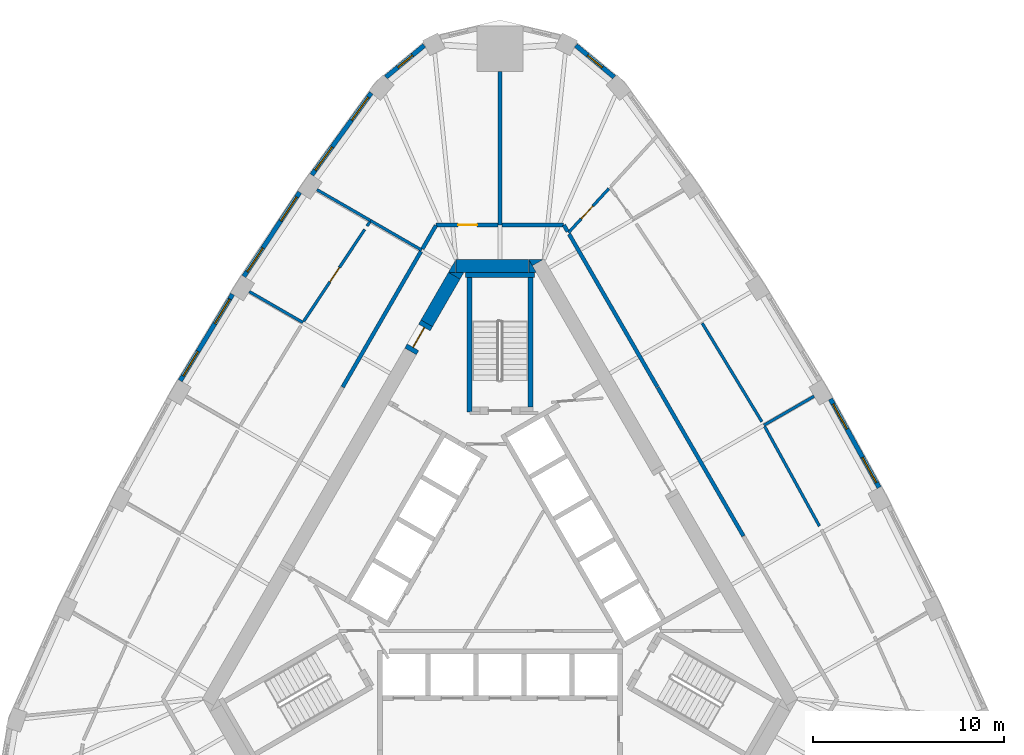
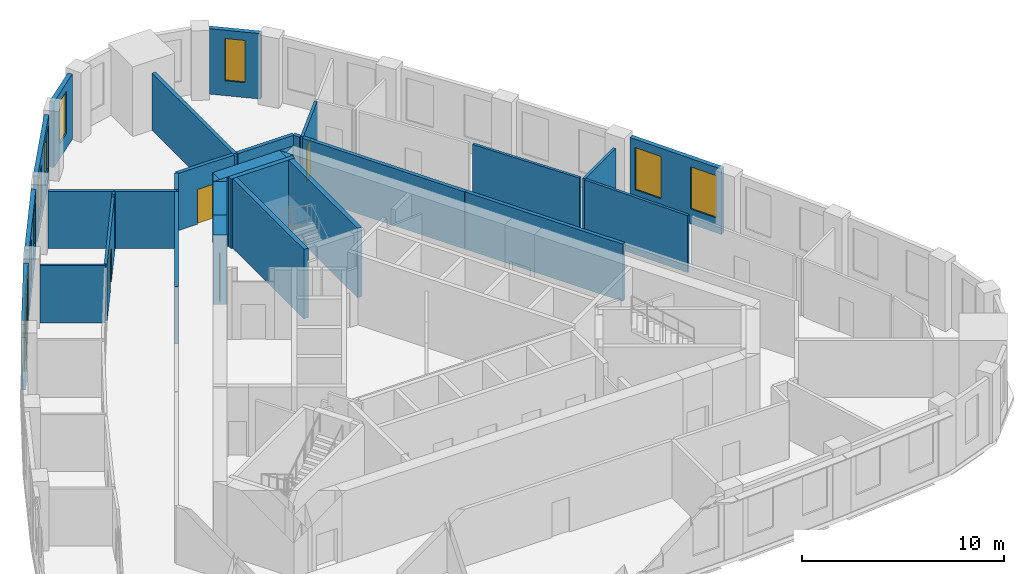
# One storey, part 8 of 11: 33 walls, 10 windows, 4 doors, 14 openings.
"""IFC4 building model written with IfcOpenShell, lengths in metres."""

from ifc_helpers import new_model, si_unit, direction, frame, frame_2d, origin, place, context, subcontext, project, spatial, polyline, rectangle, outline, extrude, material, layer, layer_set, type_object, element, fill, save


model = new_model("IFC4")

# Units and contexts
model_context = context("Model", 3, precision=1e-05, world=origin(), true_north=direction((0.0, 1.0)))
body_context = subcontext(model_context, "Body", "Model", "MODEL_VIEW")
ifc_project = project(units=[si_unit("LENGTHUNIT", "METRE"), si_unit("AREAUNIT", "SQUARE_METRE"), si_unit("VOLUMEUNIT", "CUBIC_METRE"), si_unit("PLANEANGLEUNIT", "RADIAN"), si_unit("MASSUNIT", "GRAM", prefix="KILO")], contexts=[model_context])

# Site, building, storey
site_placement = place(None, origin())
site = spatial("IfcSite", under=ifc_project, at=site_placement, CompositionType="ELEMENT")
building_placement = place(site_placement, origin())
building = spatial("IfcBuilding", under=site, at=building_placement, Name="Mestral Congress Tower", CompositionType="ELEMENT")
storey_placement = place(building_placement, frame((0.0, 0.0, 205.800048828125)))
storey = spatial("IfcBuildingStorey", under=building, at=storey_placement, Name="L48", CompositionType="ELEMENT", Elevation=205.800048828125)

# Walls
ifc_material_1 = material(Name="Concrete C60/75", Category="concrete")
ifc_layer_1 = layer(ifc_material_1, 0.699951171875)
ifc_layer_set_1 = layer_set([ifc_layer_1], Name="Concrete C60/75")
wall_type_1 = type_object("IfcWallType", Name="Core wall RC 700", PredefinedType="SOLIDWALL", material=ifc_layer_set_1)
placement = place(storey_placement, origin())
element("IfcWall", 1, at=placement, inside=storey, type_object=wall_type_1, Name="L48 core wall", PredefinedType="SOLIDWALL", context=body_context, shape_type="SweptSolid", body=[
    extrude(outline(polyline([(1.501220703125, 16.699951171875), (2.277099609375, 16.699951171875), (1.695068359375, 16.364013671875), (1.501220703125, 16.699951171875)])), origin(), (0.0, 0.0, 1.0), 4.199951171875),
])
wall_2_placement = place(storey_placement, frame((-2.323486328125, 16.35009765625, 0.0), z_axis=(0.0, 0.0, 1.0), x_axis=(1.0, 0.0, 0.0)))
element("IfcWall", 2, at=wall_2_placement, inside=storey, type_object=wall_type_1, Name="L48 core wall", PredefinedType="SOLIDWALL", context=body_context, shape_type="SweptSolid", body=[
    extrude(rectangle(XDim=3.828857421875, YDim=0.699951171875, at=frame_2d((1.91455078125, 0.0))), origin(), (0.0, 0.0, 1.0), 4.199951171875),
])
element("IfcWall", 3, at=placement, inside=storey, type_object=wall_type_1, Name="L48 core wall", PredefinedType="SOLIDWALL", context=body_context, shape_type="SweptSolid", body=[
    extrude(outline(polyline([(1.9052734375, 16.0), (1.50732421875, 16.0), (1.50732421875, 16.689208984375), (1.9052734375, 16.0)])), origin(), (0.0, 0.0, 1.0), 4.199951171875),
])
element("IfcWall", 4, at=placement, inside=storey, type_object=wall_type_1, Name="L48 core wall", PredefinedType="SOLIDWALL", context=body_context, shape_type="SweptSolid", body=[
    extrude(outline(polyline([(-2.71337890625, 16.0), (-2.325439453125, 16.672119140625), (-2.325439453125, 16.0), (-2.71337890625, 16.0)])), origin(), (0.0, 0.0, 1.0), 4.199951171875),
])
wall_5_placement = place(storey_placement, frame((-2.4033203125, 15.837158203125, 0.0), z_axis=(0.0, 0.0, 1.0), x_axis=(-0.500008214683, -0.866020660983, 0.0)))
element("IfcWall", 5, at=wall_5_placement, inside=storey, type_object=wall_type_1, Name="L48 core wall", PredefinedType="SOLIDWALL", context=body_context, shape_type="SweptSolid", body=[
    extrude(rectangle(XDim=2.88427734375, YDim=0.699951171875, at=frame_2d((1.442138671875, 0.0))), origin(), (0.0, 0.0, 1.0), 4.199951171875),
])
element("IfcWall", 6, at=placement, inside=storey, type_object=wall_type_1, Name="L48 core wall", PredefinedType="SOLIDWALL", context=body_context, shape_type="SweptSolid", body=[
    extrude(outline(polyline([(-1.9052734375, 16.0), (-2.099365234375, 15.6640625), (-2.681396484375, 16.0), (-1.9052734375, 16.0)])), origin(), (0.0, 0.0, 1.0), 4.199951171875),
])

# Wall, opening, door
wall_7_placement = place(storey_placement, frame((-4.695556640625, 11.866943359375, 0.0), z_axis=(0.0, 0.0, 1.0), x_axis=(0.499892348375, 0.866087547558, 0.0)))
wall_7 = element("IfcWall", 7, at=wall_7_placement, inside=storey, type_object=wall_type_1, Name="L48 door wall", PredefinedType="SOLIDWALL", context=body_context, shape_type="SweptSolid", body=[
    extrude(rectangle(XDim=1.699951171875, YDim=0.699951171875, at=frame_2d((0.85009765625, 0.0))), origin(), (0.0, 0.0, 1.0), 4.199951171875),
])
opening_1_placement = place(wall_7_placement, frame((0.25, 0.0, 0.0)))
opening_1 = element("IfcOpeningElement", 8, at=opening_1_placement, cuts=wall_7, Name="Opening XD2", PredefinedType="OPENING", context=body_context, shape_type="SweptSolid", body=[
    extrude(rectangle(XDim=1.199951171875, YDim=2.10009765625, at=frame_2d((0.60009765625, 1.050048828125))), frame((0.0, 0.35986328125, 0.0), z_axis=(0.0, -1.0, 0.0), x_axis=(1.0, 0.0, 0.0)), (0.0, 0.0, 1.0), 0.719970703125),
])
ifc_material_2 = material(Name="Fire-rated steel door set", Category="steel")
door_type_1 = type_object("IfcDoorType", Name="Core door XD 1200x2100", OperationType="SINGLE_SWING_LEFT", PredefinedType="DOOR", material=ifc_material_2)
door_1_placement = place(opening_1_placement, origin())
door_1 = element("IfcDoor", 9, at=door_1_placement, inside=storey, type_object=door_type_1, Name="Door XD2", OperationType="SINGLE_SWING_LEFT", OverallHeight=2.10009765625, OverallWidth=1.199951171875, PredefinedType="DOOR", context=body_context, shape_type="SweptSolid", body=[
    extrude(rectangle(XDim=1.199951171875, YDim=2.10009765625, at=frame_2d((0.60009765625, 1.050048828125))), frame((0.0, 0.02490234375, 0.0), z_axis=(0.0, -1.0, 0.0), x_axis=(1.0, 0.0, 0.0)), (0.0, 0.0, 1.0), 0.050048828125),
])
fill(opening_1, door_1)

# Wall, openings, windows
ifc_material_3 = material(Name="Precast concrete C40/50 with limestone facing", Category="masonry")
ifc_layer_2 = layer(ifc_material_3, 0.239990234375)
ifc_layer_set_2 = layer_set([ifc_layer_2], Name="Precast concrete C40/50 with limestone facing")
wall_type_2 = type_object("IfcWallType", Name="Facade stone wall 240", PredefinedType="SOLIDWALL", material=ifc_layer_set_2)
wall_8_placement = place(storey_placement, frame((19.8916015625, 4.725341796875, 0.0), z_axis=(0.0, 0.0, 1.0), x_axis=(-0.481925825015, 0.876212017256, 0.0)))
wall_8 = element("IfcWall", 10, at=wall_8_placement, inside=storey, type_object=wall_type_2, Name="Facade wall F1-02", PredefinedType="SOLIDWALL", context=body_context, shape_type="SweptSolid", body=[
    extrude(rectangle(XDim=5.298583984375, YDim=0.239990234375, at=frame_2d((2.6494140625, 0.0))), origin(), (0.0, 0.0, 1.0), 3.949951171875),
])
opening_2_placement = place(wall_8_placement, frame((0.294677734375, 0.0, 0.89990234375)))
opening_2 = element("IfcOpeningElement", 11, at=opening_2_placement, cuts=wall_8, Name="Opening W4", PredefinedType="OPENING", context=body_context, shape_type="SweptSolid", body=[
    extrude(rectangle(XDim=1.5, YDim=2.550048828125, at=frame_2d((0.75, 1.27490234375))), frame((0.0, 0.1298828125, 0.0), z_axis=(0.0, -1.0, 0.0), x_axis=(1.0, 0.0, 0.0)), (0.0, 0.0, 1.0), 0.260009765625),
])
opening_3_placement = place(wall_8_placement, frame((3.503662109375, 0.0, 0.89990234375)))
opening_3 = element("IfcOpeningElement", 12, at=opening_3_placement, cuts=wall_8, Name="Opening W4", PredefinedType="OPENING", context=body_context, shape_type="SweptSolid", body=[
    extrude(rectangle(XDim=1.5, YDim=2.550048828125, at=frame_2d((0.75, 1.27490234375))), frame((0.0, 0.1298828125, 0.0), z_axis=(0.0, -1.0, 0.0), x_axis=(1.0, 0.0, 0.0)), (0.0, 0.0, 1.0), 0.260009765625),
])
ifc_material_4 = material(Name="Clear low-emissivity double glazing", Category="glass")
window_type_1 = type_object("IfcWindowType", Name="Facade punched window 1500 x 2550 sill 900", PartitioningType="SINGLE_PANEL", PredefinedType="WINDOW", material=ifc_material_4)
window_1_placement = place(opening_2_placement, origin())
window_1 = element("IfcWindow", 13, at=window_1_placement, inside=storey, type_object=window_type_1, Name="Window F1-02a", OverallHeight=2.550048828125, OverallWidth=1.5, PartitioningType="SINGLE_PANEL", PredefinedType="WINDOW", context=body_context, shape_type="SweptSolid", body=[
    extrude(rectangle(XDim=1.5, YDim=2.550048828125, at=frame_2d((0.75, 1.27490234375))), frame((0.0, 0.0400390625, 0.0), z_axis=(0.0, -1.0, 0.0), x_axis=(1.0, 0.0, 0.0)), (0.0, 0.0, 1.0), 0.06005859375),
])
fill(opening_2, window_1)
window_2_placement = place(opening_3_placement, origin())
window_2 = element("IfcWindow", 14, at=window_2_placement, inside=storey, type_object=window_type_1, Name="Window F1-02b", OverallHeight=2.550048828125, OverallWidth=1.5, PartitioningType="SINGLE_PANEL", PredefinedType="WINDOW", context=body_context, shape_type="SweptSolid", body=[
    extrude(rectangle(XDim=1.5, YDim=2.550048828125, at=frame_2d((0.75, 1.27490234375))), frame((0.0, 0.0400390625, 0.0), z_axis=(0.0, -1.0, 0.0), x_axis=(1.0, 0.0, 0.0)), (0.0, 0.0, 1.0), 0.06005859375),
])
fill(opening_3, window_2)

# Wall, opening, window
wall_9_placement = place(storey_placement, frame((5.986572265625, 26.259033203125, 0.0), z_axis=(0.0, 0.0, 1.0), x_axis=(-0.769990037733, 0.638055908045, 0.0)))
wall_9 = element("IfcWall", 15, at=wall_9_placement, inside=storey, type_object=wall_type_2, Name="Facade wall K1-0", PredefinedType="SOLIDWALL", context=body_context, shape_type="SweptSolid", body=[
    extrude(rectangle(XDim=2.609130859375, YDim=0.239990234375, at=frame_2d((1.3046875, 0.0))), origin(), (0.0, 0.0, 1.0), 3.949951171875),
])
opening_4_placement = place(wall_9_placement, frame((0.8046875, 0.0, 0.89990234375)))
opening_4 = element("IfcOpeningElement", 16, at=opening_4_placement, cuts=wall_9, Name="Opening W5", PredefinedType="OPENING", context=body_context, shape_type="SweptSolid", body=[
    extrude(rectangle(XDim=1.0, YDim=2.550048828125, at=frame_2d((0.5, 1.27490234375))), frame((0.0, 0.1298828125, 0.0), z_axis=(0.0, -1.0, 0.0), x_axis=(1.0, 0.0, 0.0)), (0.0, 0.0, 1.0), 0.260009765625),
])
window_type_2 = type_object("IfcWindowType", Name="Facade punched window 1000 x 2550 sill 900", PartitioningType="SINGLE_PANEL", PredefinedType="WINDOW", material=ifc_material_4)
window_3_placement = place(opening_4_placement, origin())
window_3 = element("IfcWindow", 17, at=window_3_placement, inside=storey, type_object=window_type_2, Name="Window K1-0", OverallHeight=2.550048828125, OverallWidth=1.0, PartitioningType="SINGLE_PANEL", PredefinedType="WINDOW", context=body_context, shape_type="SweptSolid", body=[
    extrude(rectangle(XDim=1.0, YDim=2.550048828125, at=frame_2d((0.5, 1.27490234375))), frame((0.0, 0.0400390625, 0.0), z_axis=(0.0, -1.0, 0.0), x_axis=(1.0, 0.0, 0.0)), (0.0, 0.0, 1.0), 0.06005859375),
])
fill(opening_4, window_3)

wall_10_placement = place(storey_placement, frame((-3.9775390625, 27.923828125, 0.0), z_axis=(0.0, 0.0, 1.0), x_axis=(-0.769990037733, -0.638055908045, 0.0)))
wall_10 = element("IfcWall", 18, at=wall_10_placement, inside=storey, type_object=wall_type_2, Name="Facade wall K1-3", PredefinedType="SOLIDWALL", context=body_context, shape_type="SweptSolid", body=[
    extrude(rectangle(XDim=2.609130859375, YDim=0.239990234375, at=frame_2d((1.3046875, 0.0))), origin(), (0.0, 0.0, 1.0), 3.949951171875),
])
opening_5_placement = place(wall_10_placement, frame((0.8046875, 0.0, 0.89990234375)))
opening_5 = element("IfcOpeningElement", 19, at=opening_5_placement, cuts=wall_10, Name="Opening W5", PredefinedType="OPENING", context=body_context, shape_type="SweptSolid", body=[
    extrude(rectangle(XDim=1.0, YDim=2.550048828125, at=frame_2d((0.5, 1.27490234375))), frame((0.0, 0.1298828125, 0.0), z_axis=(0.0, -1.0, 0.0), x_axis=(1.0, 0.0, 0.0)), (0.0, 0.0, 1.0), 0.260009765625),
])
window_4_placement = place(opening_5_placement, origin())
window_4 = element("IfcWindow", 20, at=window_4_placement, inside=storey, type_object=window_type_2, Name="Window K1-3", OverallHeight=2.550048828125, OverallWidth=1.0, PartitioningType="SINGLE_PANEL", PredefinedType="WINDOW", context=body_context, shape_type="SweptSolid", body=[
    extrude(rectangle(XDim=1.0, YDim=2.550048828125, at=frame_2d((0.5, 1.27490234375))), frame((0.0, 0.0400390625, 0.0), z_axis=(0.0, -1.0, 0.0), x_axis=(1.0, 0.0, 0.0)), (0.0, 0.0, 1.0), 0.06005859375),
])
fill(opening_5, window_4)

# Wall, openings, windows
wall_11_placement = place(storey_placement, frame((-6.760986328125, 25.431884765625, 0.0), z_axis=(0.0, 0.0, 1.0), x_axis=(-0.586998456641, -0.80958805074, 0.0)))
wall_11 = element("IfcWall", 21, at=wall_11_placement, inside=storey, type_object=wall_type_2, Name="Facade wall F2-00", PredefinedType="SOLIDWALL", context=body_context, shape_type="SweptSolid", body=[
    extrude(rectangle(XDim=5.310791015625, YDim=0.239990234375, at=frame_2d((2.6552734375, 0.0))), origin(), (0.0, 0.0, 1.0), 3.949951171875),
])
opening_6_placement = place(wall_11_placement, frame((0.271484375, 0.0, 0.89990234375)))
opening_6 = element("IfcOpeningElement", 22, at=opening_6_placement, cuts=wall_11, Name="Opening W4", PredefinedType="OPENING", context=body_context, shape_type="SweptSolid", body=[
    extrude(rectangle(XDim=1.5, YDim=2.550048828125, at=frame_2d((0.75, 1.27490234375))), frame((0.0, 0.1298828125, 0.0), z_axis=(0.0, -1.0, 0.0), x_axis=(1.0, 0.0, 0.0)), (0.0, 0.0, 1.0), 0.260009765625),
])
opening_7_placement = place(wall_11_placement, frame((3.50439453125, 0.0, 0.89990234375)))
opening_7 = element("IfcOpeningElement", 23, at=opening_7_placement, cuts=wall_11, Name="Opening W4", PredefinedType="OPENING", context=body_context, shape_type="SweptSolid", body=[
    extrude(rectangle(XDim=1.5, YDim=2.550048828125, at=frame_2d((0.75, 1.27490234375))), frame((0.0, 0.1298828125, 0.0), z_axis=(0.0, -1.0, 0.0), x_axis=(1.0, 0.0, 0.0)), (0.0, 0.0, 1.0), 0.260009765625),
])
window_5_placement = place(opening_6_placement, origin())
window_5 = element("IfcWindow", 24, at=window_5_placement, inside=storey, type_object=window_type_1, Name="Window F2-00a", OverallHeight=2.550048828125, OverallWidth=1.5, PartitioningType="SINGLE_PANEL", PredefinedType="WINDOW", context=body_context, shape_type="SweptSolid", body=[
    extrude(rectangle(XDim=1.5, YDim=2.550048828125, at=frame_2d((0.75, 1.27490234375))), frame((0.0, 0.0400390625, 0.0), z_axis=(0.0, -1.0, 0.0), x_axis=(1.0, 0.0, 0.0)), (0.0, 0.0, 1.0), 0.06005859375),
])
fill(opening_6, window_5)
window_6_placement = place(opening_7_placement, origin())
window_6 = element("IfcWindow", 25, at=window_6_placement, inside=storey, type_object=window_type_1, Name="Window F2-00b", OverallHeight=2.550048828125, OverallWidth=1.5, PartitioningType="SINGLE_PANEL", PredefinedType="WINDOW", context=body_context, shape_type="SweptSolid", body=[
    extrude(rectangle(XDim=1.5, YDim=2.550048828125, at=frame_2d((0.75, 1.27490234375))), frame((0.0, 0.0400390625, 0.0), z_axis=(0.0, -1.0, 0.0), x_axis=(1.0, 0.0, 0.0)), (0.0, 0.0, 1.0), 0.06005859375),
])
fill(opening_7, window_6)

wall_12_placement = place(storey_placement, frame((-10.5126953125, 20.21826171875, 0.0), z_axis=(0.0, 0.0, 1.0), x_axis=(-0.552901821755, -0.833246407433, 0.0)))
wall_12 = element("IfcWall", 26, at=wall_12_placement, inside=storey, type_object=wall_type_2, Name="Facade wall F2-01", PredefinedType="SOLIDWALL", context=body_context, shape_type="SweptSolid", body=[
    extrude(rectangle(XDim=5.29833984375, YDim=0.239990234375, at=frame_2d((2.649169921875, 0.0))), origin(), (0.0, 0.0, 1.0), 3.949951171875),
])
opening_8_placement = place(wall_12_placement, frame((0.29443359375, 0.0, 0.89990234375)))
opening_8 = element("IfcOpeningElement", 27, at=opening_8_placement, cuts=wall_12, Name="Opening W4", PredefinedType="OPENING", context=body_context, shape_type="SweptSolid", body=[
    extrude(rectangle(XDim=1.5, YDim=2.550048828125, at=frame_2d((0.75, 1.27490234375))), frame((0.0, 0.1298828125, 0.0), z_axis=(0.0, -1.0, 0.0), x_axis=(1.0, 0.0, 0.0)), (0.0, 0.0, 1.0), 0.260009765625),
])
opening_9_placement = place(wall_12_placement, frame((3.503662109375, 0.0, 0.89990234375)))
opening_9 = element("IfcOpeningElement", 28, at=opening_9_placement, cuts=wall_12, Name="Opening W4", PredefinedType="OPENING", context=body_context, shape_type="SweptSolid", body=[
    extrude(rectangle(XDim=1.5, YDim=2.550048828125, at=frame_2d((0.75, 1.27490234375))), frame((0.0, 0.1298828125, 0.0), z_axis=(0.0, -1.0, 0.0), x_axis=(1.0, 0.0, 0.0)), (0.0, 0.0, 1.0), 0.260009765625),
])
window_7_placement = place(opening_8_placement, origin())
window_7 = element("IfcWindow", 29, at=window_7_placement, inside=storey, type_object=window_type_1, Name="Window F2-01a", OverallHeight=2.550048828125, OverallWidth=1.5, PartitioningType="SINGLE_PANEL", PredefinedType="WINDOW", context=body_context, shape_type="SweptSolid", body=[
    extrude(rectangle(XDim=1.5, YDim=2.550048828125, at=frame_2d((0.75, 1.27490234375))), frame((0.0, 0.0400390625, 0.0), z_axis=(0.0, -1.0, 0.0), x_axis=(1.0, 0.0, 0.0)), (0.0, 0.0, 1.0), 0.06005859375),
])
fill(opening_8, window_7)
window_8_placement = place(opening_9_placement, origin())
window_8 = element("IfcWindow", 30, at=window_8_placement, inside=storey, type_object=window_type_1, Name="Window F2-01b", OverallHeight=2.550048828125, OverallWidth=1.5, PartitioningType="SINGLE_PANEL", PredefinedType="WINDOW", context=body_context, shape_type="SweptSolid", body=[
    extrude(rectangle(XDim=1.5, YDim=2.550048828125, at=frame_2d((0.75, 1.27490234375))), frame((0.0, 0.0400390625, 0.0), z_axis=(0.0, -1.0, 0.0), x_axis=(1.0, 0.0, 0.0)), (0.0, 0.0, 1.0), 0.06005859375),
])
fill(opening_9, window_8)

wall_13_placement = place(storey_placement, frame((-14.0380859375, 14.86376953125, 0.0), z_axis=(0.0, 0.0, 1.0), x_axis=(-0.517846166225, -0.855473756538, 0.0)))
wall_13 = element("IfcWall", 31, at=wall_13_placement, inside=storey, type_object=wall_type_2, Name="Facade wall F2-02", PredefinedType="SOLIDWALL", context=body_context, shape_type="SweptSolid", body=[
    extrude(rectangle(XDim=5.298095703125, YDim=0.239990234375, at=frame_2d((2.64892578125, 0.0))), origin(), (0.0, 0.0, 1.0), 3.949951171875),
])
opening_10_placement = place(wall_13_placement, frame((0.29443359375, 0.0, 0.89990234375)))
opening_10 = element("IfcOpeningElement", 32, at=opening_10_placement, cuts=wall_13, Name="Opening W4", PredefinedType="OPENING", context=body_context, shape_type="SweptSolid", body=[
    extrude(rectangle(XDim=1.5, YDim=2.550048828125, at=frame_2d((0.75, 1.27490234375))), frame((0.0, 0.1298828125, 0.0), z_axis=(0.0, -1.0, 0.0), x_axis=(1.0, 0.0, 0.0)), (0.0, 0.0, 1.0), 0.260009765625),
])
opening_11_placement = place(wall_13_placement, frame((3.503662109375, 0.0, 0.89990234375)))
opening_11 = element("IfcOpeningElement", 33, at=opening_11_placement, cuts=wall_13, Name="Opening W4", PredefinedType="OPENING", context=body_context, shape_type="SweptSolid", body=[
    extrude(rectangle(XDim=1.5, YDim=2.550048828125, at=frame_2d((0.75, 1.27490234375))), frame((0.0, 0.1298828125, 0.0), z_axis=(0.0, -1.0, 0.0), x_axis=(1.0, 0.0, 0.0)), (0.0, 0.0, 1.0), 0.260009765625),
])
window_9_placement = place(opening_10_placement, origin())
window_9 = element("IfcWindow", 34, at=window_9_placement, inside=storey, type_object=window_type_1, Name="Window F2-02a", OverallHeight=2.550048828125, OverallWidth=1.5, PartitioningType="SINGLE_PANEL", PredefinedType="WINDOW", context=body_context, shape_type="SweptSolid", body=[
    extrude(rectangle(XDim=1.5, YDim=2.550048828125, at=frame_2d((0.75, 1.27490234375))), frame((0.0, 0.0400390625, 0.0), z_axis=(0.0, -1.0, 0.0), x_axis=(1.0, 0.0, 0.0)), (0.0, 0.0, 1.0), 0.06005859375),
])
fill(opening_10, window_9)
window_10_placement = place(opening_11_placement, origin())
window_10 = element("IfcWindow", 35, at=window_10_placement, inside=storey, type_object=window_type_1, Name="Window F2-02b", OverallHeight=2.550048828125, OverallWidth=1.5, PartitioningType="SINGLE_PANEL", PredefinedType="WINDOW", context=body_context, shape_type="SweptSolid", body=[
    extrude(rectangle(XDim=1.5, YDim=2.550048828125, at=frame_2d((0.75, 1.27490234375))), frame((0.0, 0.0400390625, 0.0), z_axis=(0.0, -1.0, 0.0), x_axis=(1.0, 0.0, 0.0)), (0.0, 0.0, 1.0), 0.06005859375),
])
fill(opening_11, window_10)

# Walls
ifc_material_5 = material(Name="Plasterboard partition on steel studs", Category="steel")
ifc_layer_3 = layer(ifc_material_5, 0.14990234375)
ifc_layer_set_3 = layer_set([ifc_layer_3], Name="Plasterboard partition on steel studs")
wall_type_3 = type_object("IfcWallType", Name="Office partition 150", PredefinedType="PARTITIONING", material=ifc_layer_set_3)
wall_14_placement = place(storey_placement, frame((13.84765625, 7.9951171875, 0.0), z_axis=(0.0, 0.0, 1.0), x_axis=(0.86603583403, 0.49998193385, 0.0)))
element("IfcWall", 36, at=wall_14_placement, inside=storey, type_object=wall_type_3, Name="Partition", PredefinedType="PARTITIONING", context=body_context, shape_type="SweptSolid", body=[
    extrude(rectangle(XDim=3.04052734375, YDim=0.14990234375, at=frame_2d((1.520263671875, 0.0))), origin(), (0.0, 0.0, 1.0), 3.449951171875),
])
wall_15_placement = place(storey_placement, frame((16.759521484375, 2.700439453125, 0.0), z_axis=(0.0, 0.0, 1.0), x_axis=(-0.481907755985, 0.876221955169, 0.0)))
element("IfcWall", 37, at=wall_15_placement, inside=storey, type_object=wall_type_3, Name="Partition", PredefinedType="PARTITIONING", context=body_context, shape_type="SweptSolid", body=[
    extrude(rectangle(XDim=5.96728515625, YDim=0.14990234375, at=frame_2d((2.983642578125, 0.0))), origin(), (0.0, 0.0, 1.0), 3.449951171875),
])
wall_16_placement = place(storey_placement, frame((13.73681640625, 8.17822265625, 0.0), z_axis=(0.0, 0.0, 1.0), x_axis=(-0.517884383874, 0.855450620983, 0.0)))
element("IfcWall", 38, at=wall_16_placement, inside=storey, type_object=wall_type_3, Name="Partition", PredefinedType="PARTITIONING", context=body_context, shape_type="SweptSolid", body=[
    extrude(rectangle(XDim=6.042724609375, YDim=0.14990234375, at=frame_2d((3.021484375, 0.0))), origin(), (0.0, 0.0, 1.0), 3.449951171875),
])

# Wall, opening, door
wall_17_placement = place(storey_placement, frame((3.584716796875, 18.09130859375, 0.0), z_axis=(0.0, 0.0, 1.0), x_axis=(0.675657922277, 0.737215282034, 0.0)))
wall_17 = element("IfcWall", 39, at=wall_17_placement, inside=storey, type_object=wall_type_3, Name="Partition", PredefinedType="PARTITIONING", context=body_context, shape_type="SweptSolid", body=[
    extrude(rectangle(XDim=3.149169921875, YDim=0.14990234375, at=frame_2d((1.57470703125, 0.0))), origin(), (0.0, 0.0, 1.0), 3.449951171875),
])
opening_12_placement = place(wall_17_placement, frame((1.0, 0.0, 0.0)))
opening_12 = element("IfcOpeningElement", 40, at=opening_12_placement, cuts=wall_17, Name="Opening O06-010", PredefinedType="OPENING", context=body_context, shape_type="SweptSolid", body=[
    extrude(rectangle(XDim=0.89990234375, YDim=2.10009765625, at=frame_2d((0.449951171875, 1.050048828125))), frame((0.0, 0.0849609375, 0.0), z_axis=(0.0, -1.0, 0.0), x_axis=(1.0, 0.0, 0.0)), (0.0, 0.0, 1.0), 0.169921875),
])
ifc_material_6 = material(Name="Timber door set", Category="wood")
door_type_2 = type_object("IfcDoorType", Name="Office door 900x2100", OperationType="SINGLE_SWING_LEFT", PredefinedType="DOOR", material=ifc_material_6)
door_2_placement = place(opening_12_placement, origin())
door_2 = element("IfcDoor", 41, at=door_2_placement, inside=storey, type_object=door_type_2, Name="Door O06-010", OperationType="SINGLE_SWING_LEFT", OverallHeight=2.10009765625, OverallWidth=0.89990234375, PredefinedType="DOOR", context=body_context, shape_type="SweptSolid", body=[
    extrude(rectangle(XDim=0.89990234375, YDim=2.10009765625, at=frame_2d((0.449951171875, 1.050048828125))), frame((0.0, 0.02490234375, 0.0), z_axis=(0.0, -1.0, 0.0), x_axis=(1.0, 0.0, 0.0)), (0.0, 0.0, 1.0), 0.050048828125),
])
fill(opening_12, door_2)

# Walls
wall_18_placement = place(storey_placement, frame((-6.780029296875, 18.720703125, 0.0), z_axis=(0.0, 0.0, 1.0), x_axis=(-0.866019875663, 0.500009574865, 0.0)))
element("IfcWall", 42, at=wall_18_placement, inside=storey, type_object=wall_type_3, Name="Partition", PredefinedType="PARTITIONING", context=body_context, shape_type="SweptSolid", body=[
    extrude(rectangle(XDim=3.26318359375, YDim=0.14990234375, at=frame_2d((1.631591796875, 0.0))), origin(), (0.0, 0.0, 1.0), 3.449951171875),
])
wall_19_placement = place(storey_placement, frame((-4.11083984375, 17.1796875, 0.0), z_axis=(0.0, 0.0, 1.0), x_axis=(-0.866022449854, 0.500005116322, 0.0)))
element("IfcWall", 43, at=wall_19_placement, inside=storey, type_object=wall_type_3, Name="Partition", PredefinedType="PARTITIONING", context=body_context, shape_type="SweptSolid", body=[
    extrude(rectangle(XDim=3.09033203125, YDim=0.14990234375, at=frame_2d((1.545166015625, 0.0))), origin(), (0.0, 0.0, 1.0), 3.449951171875),
])
wall_20_placement = place(storey_placement, frame((-10.344482421875, 13.3818359375, 0.0), z_axis=(0.0, 0.0, 1.0), x_axis=(-0.865990253757, 0.500060876692, 0.0)))
element("IfcWall", 44, at=wall_20_placement, inside=storey, type_object=wall_type_3, Name="Partition", PredefinedType="PARTITIONING", context=body_context, shape_type="SweptSolid", body=[
    extrude(rectangle(XDim=3.2470703125, YDim=0.14990234375, at=frame_2d((1.62353515625, 0.0))), origin(), (0.0, 0.0, 1.0), 3.449951171875),
])
wall_21_placement = place(storey_placement, frame((-6.827880859375, 18.66162109375, 0.0), z_axis=(0.0, 0.0, 1.0), x_axis=(-0.586967571461, -0.809610443394, 0.0)))
element("IfcWall", 45, at=wall_21_placement, inside=storey, type_object=wall_type_3, Name="Partition", PredefinedType="PARTITIONING", context=body_context, shape_type="SweptSolid", body=[
    extrude(rectangle(XDim=0.265380859375, YDim=0.14990234375, at=frame_2d((0.1328125, 0.0))), origin(), (0.0, 0.0, 1.0), 3.449951171875),
])

# Wall, opening, door
wall_22_placement = place(storey_placement, frame((-10.302978515625, 13.444580078125, 0.0), z_axis=(0.0, 0.0, 1.0), x_axis=(0.552908115949, 0.833242230878, 0.0)))
wall_22 = element("IfcWall", 46, at=wall_22_placement, inside=storey, type_object=wall_type_3, Name="Partition", PredefinedType="PARTITIONING", context=body_context, shape_type="SweptSolid", body=[
    extrude(rectangle(XDim=5.788818359375, YDim=0.14990234375, at=frame_2d((2.89453125, 0.0))), origin(), (0.0, 0.0, 1.0), 3.449951171875),
])
opening_13_placement = place(wall_22_placement, frame((2.489013671875, 0.0, 0.0)))
opening_13 = element("IfcOpeningElement", 47, at=opening_13_placement, cuts=wall_22, Name="Opening O06-012", PredefinedType="OPENING", context=body_context, shape_type="SweptSolid", body=[
    extrude(rectangle(XDim=0.89990234375, YDim=2.10009765625, at=frame_2d((0.449951171875, 1.050048828125))), frame((0.0, 0.0849609375, 0.0), z_axis=(0.0, -1.0, 0.0), x_axis=(1.0, 0.0, 0.0)), (0.0, 0.0, 1.0), 0.169921875),
])
door_3_placement = place(opening_13_placement, origin())
door_3 = element("IfcDoor", 48, at=door_3_placement, inside=storey, type_object=door_type_2, Name="Door O06-012", OperationType="SINGLE_SWING_RIGHT", OverallHeight=2.10009765625, OverallWidth=0.89990234375, PredefinedType="DOOR", context=body_context, shape_type="SweptSolid", body=[
    extrude(rectangle(XDim=0.89990234375, YDim=2.10009765625, at=frame_2d((0.449951171875, 1.050048828125))), frame((0.0, 0.02490234375, 0.0), z_axis=(0.0, -1.0, 0.0), x_axis=(1.0, 0.0, 0.0)), (0.0, 0.0, 1.0), 0.050048828125),
])
fill(opening_13, door_3)

# Walls
ifc_material_7 = material(Name="Dense masonry wall, plastered", Category="masonry")
ifc_layer_4 = layer(ifc_material_7, 0.199951171875)
ifc_layer_set_4 = layer_set([ifc_layer_4], Name="Dense masonry wall, plastered")
wall_type_4 = type_object("IfcWallType", Name="Office tenancy wall 200", PredefinedType="PARTITIONING", material=ifc_layer_set_4)
wall_23_placement = place(storey_placement, frame((12.772216796875, 2.177978515625, 0.0), z_axis=(0.0, 0.0, 1.0), x_axis=(-0.5000018851, 0.866024315419, 0.0)))
element("IfcWall", 49, at=wall_23_placement, inside=storey, type_object=wall_type_4, Name="Tenancy wall", PredefinedType="PARTITIONING", context=body_context, shape_type="SweptSolid", body=[
    extrude(rectangle(XDim=9.0, YDim=0.199951171875, at=frame_2d((4.5, 0.0))), origin(), (0.0, 0.0, 1.0), 3.449951171875),
])
wall_24_placement = place(storey_placement, frame((8.257080078125, 9.998046875, 0.0), z_axis=(0.0, 0.0, 1.0), x_axis=(-0.499998405424, 0.866026324412, 0.0)))
element("IfcWall", 50, at=wall_24_placement, inside=storey, type_object=wall_type_4, Name="Tenancy wall", PredefinedType="PARTITIONING", context=body_context, shape_type="SweptSolid", body=[
    extrude(rectangle(XDim=9.2666015625, YDim=0.199951171875, at=frame_2d((4.63330078125, 0.0))), origin(), (0.0, 0.0, 1.0), 3.449951171875),
])
wall_25_placement = place(storey_placement, frame((0.0, 18.5, 0.0), z_axis=(0.0, 0.0, 1.0), x_axis=(0.0, 1.0, 0.0)))
element("IfcWall", 51, at=wall_25_placement, inside=storey, type_object=wall_type_4, Name="Tenancy wall", PredefinedType="PARTITIONING", context=body_context, shape_type="SweptSolid", body=[
    extrude(rectangle(XDim=8.04443359375, YDim=0.199951171875, at=frame_2d((4.022216796875, 0.0))), origin(), (0.0, 0.0, 1.0), 3.449951171875),
])
wall_26_placement = place(storey_placement, frame((3.54541015625, 18.159423828125, 0.0), z_axis=(0.0, 0.0, 1.0), x_axis=(-0.500277597875, 0.865865073245, 0.0)))
element("IfcWall", 52, at=wall_26_placement, inside=storey, type_object=wall_type_4, Name="Tenancy wall", PredefinedType="PARTITIONING", context=body_context, shape_type="SweptSolid", body=[
    extrude(rectangle(XDim=0.393310546875, YDim=0.199951171875, at=frame_2d((0.19677734375, 0.0))), origin(), (0.0, 0.0, 1.0), 3.449951171875),
])
wall_27_placement = place(storey_placement, frame((3.318603515625, 18.5, 0.0), z_axis=(0.0, 0.0, 1.0), x_axis=(-1.0, 0.0, 0.0)))
element("IfcWall", 53, at=wall_27_placement, inside=storey, type_object=wall_type_4, Name="Tenancy wall", PredefinedType="PARTITIONING", context=body_context, shape_type="SweptSolid", body=[
    extrude(rectangle(XDim=3.218505859375, YDim=0.199951171875, at=frame_2d((1.609375, 0.0))), origin(), (0.0, 0.0, 1.0), 3.449951171875),
])

# Wall, opening, door
wall_28_placement = place(storey_placement, frame((-0.10009765625, 18.5, 0.0), z_axis=(0.0, 0.0, 1.0), x_axis=(-1.0, 0.0, 0.0)))
wall_28 = element("IfcWall", 54, at=wall_28_placement, inside=storey, type_object=wall_type_4, Name="Tenancy wall", PredefinedType="PARTITIONING", context=body_context, shape_type="SweptSolid", body=[
    extrude(rectangle(XDim=3.24853515625, YDim=0.199951171875, at=frame_2d((1.624267578125, 0.0))), origin(), (0.0, 0.0, 1.0), 3.449951171875),
])
opening_14_placement = place(wall_28_placement, frame((1.10009765625, 0.0, 0.0)))
opening_14 = element("IfcOpeningElement", 55, at=opening_14_placement, cuts=wall_28, Name="Opening O06-011", PredefinedType="OPENING", context=body_context, shape_type="SweptSolid", body=[
    extrude(rectangle(XDim=1.0, YDim=2.10009765625, at=frame_2d((0.5, 1.050048828125))), frame((0.0, 0.10986328125, 0.0), z_axis=(0.0, -1.0, 0.0), x_axis=(1.0, 0.0, 0.0)), (0.0, 0.0, 1.0), 0.219970703125),
])
ifc_material_8 = material(Name="Fire-rated timber door set", Category="wood")
door_type_3 = type_object("IfcDoorType", Name="Office tenancy entrance door 1000x2100", OperationType="SINGLE_SWING_LEFT", PredefinedType="DOOR", material=ifc_material_8)
door_4_placement = place(opening_14_placement, origin())
door_4 = element("IfcDoor", 56, at=door_4_placement, inside=storey, type_object=door_type_3, Name="Door O06-011", OperationType="SINGLE_SWING_LEFT", OverallHeight=2.10009765625, OverallWidth=1.0, PredefinedType="DOOR", context=body_context, shape_type="SweptSolid", body=[
    extrude(rectangle(XDim=1.0, YDim=2.10009765625, at=frame_2d((0.5, 1.050048828125))), frame((0.0, 0.02490234375, 0.0), z_axis=(0.0, -1.0, 0.0), x_axis=(1.0, 0.0, 0.0)), (0.0, 0.0, 1.0), 0.050048828125),
])
fill(opening_14, door_4)

# Walls
wall_29_placement = place(storey_placement, frame((-3.363525390625, 18.47412109375, 0.0), z_axis=(0.0, 0.0, 1.0), x_axis=(-0.500059846627, -0.865990848561, 0.0)))
element("IfcWall", 57, at=wall_29_placement, inside=storey, type_object=wall_type_4, Name="Tenancy wall", PredefinedType="PARTITIONING", context=body_context, shape_type="SweptSolid", body=[
    extrude(rectangle(XDim=1.419677734375, YDim=0.199951171875, at=frame_2d((0.7099609375, 0.0))), origin(), (0.0, 0.0, 1.0), 3.449951171875),
])
wall_30_placement = place(storey_placement, frame((-4.1484375, 17.11474609375, 0.0), z_axis=(0.0, 0.0, 1.0), x_axis=(-0.499983057696, -0.866035185207, 0.0)))
element("IfcWall", 58, at=wall_30_placement, inside=storey, type_object=wall_type_4, Name="Tenancy wall", PredefinedType="PARTITIONING", context=body_context, shape_type="SweptSolid", body=[
    extrude(rectangle(XDim=8.217529296875, YDim=0.199951171875, at=frame_2d((4.10888671875, 0.0))), origin(), (0.0, 0.0, 1.0), 3.449951171875),
])
ifc_layer_5 = layer(ifc_material_1, 0.25)
ifc_layer_set_5 = layer_set([ifc_layer_5], Name="Concrete C60/75")
wall_type_5 = type_object("IfcWallType", Name="Stair wall RC 250", PredefinedType="SOLIDWALL", material=ifc_layer_set_5)
wall_31_placement = place(storey_placement, frame((-1.81689453125, 15.875, 0.0), z_axis=(0.0, 0.0, 1.0), x_axis=(1.0, 0.0, 0.0)))
element("IfcWall", 59, at=wall_31_placement, inside=storey, type_object=wall_type_5, Name="L48 core wall", PredefinedType="SOLIDWALL", context=body_context, shape_type="SweptSolid", body=[
    extrude(rectangle(XDim=3.6337890625, YDim=0.25, at=frame_2d((1.81689453125, 0.0))), origin(), (0.0, 0.0, 1.0), 4.199951171875),
])
wall_32_placement = place(storey_placement, frame((1.60009765625, 8.949951171875, 0.0), z_axis=(0.0, 0.0, 1.0), x_axis=(0.0, 1.0, 0.0)))
element("IfcWall", 60, at=wall_32_placement, inside=storey, type_object=wall_type_5, Name="L48 core wall", PredefinedType="SOLIDWALL", context=body_context, shape_type="SweptSolid", body=[
    extrude(rectangle(XDim=6.800048828125, YDim=0.25, at=frame_2d((3.39990234375, 0.0))), origin(), (0.0, 0.0, 1.0), 4.199951171875),
])
wall_33_placement = place(storey_placement, frame((-1.60009765625, 8.699951171875, 0.0), z_axis=(0.0, 0.0, 1.0), x_axis=(0.0, 1.0, 0.0)))
element("IfcWall", 61, at=wall_33_placement, inside=storey, type_object=wall_type_5, Name="L48 core wall", PredefinedType="SOLIDWALL", context=body_context, shape_type="SweptSolid", body=[
    extrude(rectangle(XDim=7.050048828125, YDim=0.25, at=frame_2d((3.52490234375, 0.0))), origin(), (0.0, 0.0, 1.0), 4.199951171875),
])

save(model, "model.ifc")
